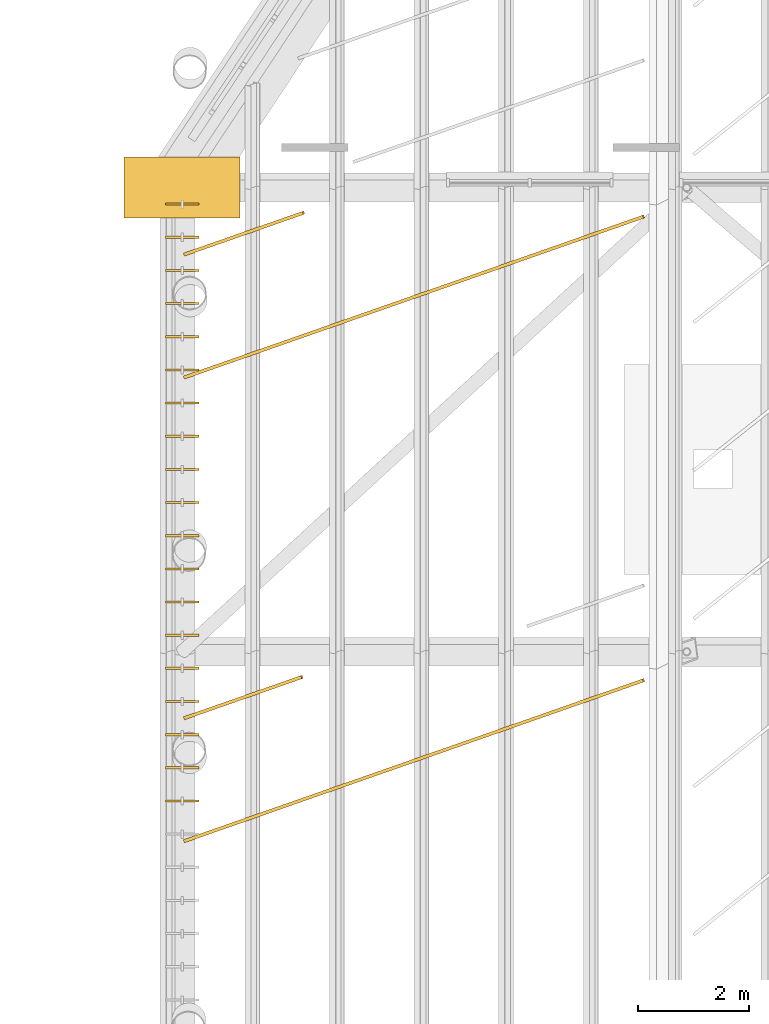
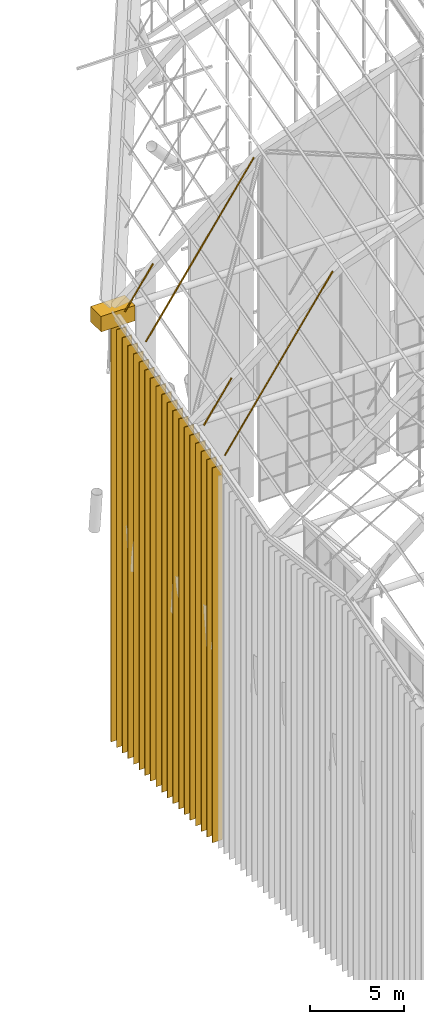
# One storey, part 109 of 126: 19 shading devices, 5 coverings.
"""IFC4 building model written with IfcOpenShell, lengths in metres."""

from ifc_helpers import new_model, si_unit, direction, frame, origin, origin_2d, place, context, subcontext, project, spatial, polyline, rectangle, outline, extrude, material, layer, layer_set, material_profile, profile_set, type_object, element, save


model = new_model("IFC4")

# Units and contexts
model_context = context("Model", 3, precision=1e-05, world=origin(), true_north=direction((0.0, 1.0)))
body_context = subcontext(model_context, "Body", "Model", "MODEL_VIEW")
ifc_project = project(units=[si_unit("LENGTHUNIT", "METRE"), si_unit("AREAUNIT", "SQUARE_METRE"), si_unit("VOLUMEUNIT", "CUBIC_METRE"), si_unit("PLANEANGLEUNIT", "RADIAN"), si_unit("MASSUNIT", "GRAM", prefix="KILO")], contexts=[model_context])

# Site, building, storey
site_placement = place(None, origin())
site = spatial("IfcSite", under=ifc_project, at=site_placement, CompositionType="ELEMENT")
building_placement = place(site_placement, origin())
building = spatial("IfcBuilding", under=site, at=building_placement, Name="Sava Quay Ferry Terminal", CompositionType="ELEMENT")
storey_placement = place(building_placement, frame((0.0, 0.0, 15.0)))
storey = spatial("IfcBuildingStorey", under=building, at=storey_placement, Name="L03", CompositionType="ELEMENT", Elevation=15.0)

# Coverings
ifc_material_1 = material(Name="Zinc standing seam sheet")
ifc_layer_1 = layer(ifc_material_1, 0.02001953125)
ifc_layer_set_1 = layer_set([ifc_layer_1], Name="Zinc standing seam sheet")
covering_type_1 = type_object("IfcCoveringType", Name="Prow corner node cover", PredefinedType="CLADDING", material=ifc_layer_set_1)
covering_1_placement = place(storey_placement, frame((0.0, 0.0, 14.925048828125)))
element("IfcCovering", 1, at=covering_1_placement, inside=storey, type_object=covering_type_1, Name="Departure hall prow corner node cover L", PredefinedType="CLADDING", context=body_context, shape_type="SweptSolid", body=[
    extrude(outline(polyline([(40.949951171875, 100.25), (43.050048828125, 100.25), (43.050048828125, 101.35009765625), (40.949951171875, 101.35009765625), (40.949951171875, 100.25)])), origin(), (0.0, 0.0, 1.0), 1.0),
])
ifc_material_2 = material(Name="Zinc standing seam")
ifc_layer_2 = layer(ifc_material_2, 0.0400390625)
ifc_layer_set_2 = layer_set([ifc_layer_2], Name="Zinc standing seam")
covering_type_2 = type_object("IfcCoveringType", Name="Roof seam rib 60", PredefinedType="ROOFING", material=ifc_layer_set_2)
covering_2_placement = place(storey_placement, frame((42.020751953125, 88.998779296875, 13.38623046875), z_axis=(-0.60189110877, -0.21059688903, 0.770309057142), x_axis=(0.72702333395, 0.254584230794, 0.637670715435)))
element("IfcCovering", 2, at=covering_2_placement, inside=storey, type_object=covering_type_2, Name="Roof seam rib", PredefinedType="ROOFING", context=body_context, shape_type="SweptSolid", body=[
    extrude(outline(polyline([(0.0, 0.0), (11.426199194905346, -6.14742631799281e-16), (11.426156555380409, -0.059993532949400304), (1.95148282835806e-05, -0.059763103019507734), (0.0, 0.0)])), origin(), (0.0, 0.0, -1.0), 0.0400390625),
])
covering_3_placement = place(storey_placement, frame((42.020751953125, 91.223876953125, 13.9951171875), z_axis=(-0.602037155286, -0.210194006802, 0.770304967633), x_axis=(0.727018544127, 0.254585912604, 0.637675504939)))
element("IfcCovering", 3, at=covering_3_placement, inside=storey, type_object=covering_type_2, Name="Roof seam rib", PredefinedType="ROOFING", context=body_context, shape_type="SweptSolid", body=[
    extrude(outline(polyline([(0.0, 0.0), (2.9239039898587773, 1.919037845299343e-17), (2.923861160354421, -0.05999353832201857), (-4.2829504356996576e-05, -0.05999353832201865), (0.0, 0.0)])), origin(), (0.0, 0.0, -1.0), 0.0400390625),
])
covering_4_placement = place(storey_placement, frame((42.020751953125, 97.38916015625, 15.681640625), z_axis=(-0.602034262068, -0.21019299667, 0.770307504472), x_axis=(0.727028642756, 0.254564722559, 0.637672450903)))
element("IfcCovering", 4, at=covering_4_placement, inside=storey, type_object=covering_type_2, Name="Roof seam rib", PredefinedType="ROOFING", context=body_context, shape_type="SweptSolid", body=[
    extrude(outline(polyline([(0.0, 0.0), (11.426137042904575, 1.1796119636642288e-16), (11.426095613321941, -0.059993539305091985), (-4.14295826339766e-05, -0.059993539305092235), (0.0, 0.0)])), origin(), (0.0, 0.0, -1.0), 0.0400390625),
])
covering_5_placement = place(storey_placement, frame((42.020751953125, 99.614013671875, 16.290283203125), z_axis=(-0.601898840235, -0.210599594208, 0.77030227641), x_axis=(0.726997137931, 0.254638536975, 0.637678897979)))
element("IfcCovering", 5, at=covering_5_placement, inside=storey, type_object=covering_type_2, Name="Roof seam rib", PredefinedType="ROOFING", context=body_context, shape_type="SweptSolid", body=[
    extrude(outline(polyline([(0.0, 0.0), (2.962588169589706, 1.8789223649173792e-16), (2.962541936092185, -0.05999353028724467), (1.5934114045127942e-05, -0.05976310408132972), (0.0, 0.0)])), origin(), (0.0, 0.0, -1.0), 0.0400390625),
])

# Shading devices
ifc_material_3 = material(Name="Aluminium bronze anodised", Category="aluminium")
ifc_material_profile = material_profile(ifc_material_3, rectangle(XDim=0.0400390625, YDim=0.60009765625, at=origin_2d()), Name="Vertical brise-soleil blade 40x600")
ifc_profile_set = profile_set([ifc_material_profile], Name="Aluminium bronze anodised")
shading_device_type = type_object("IfcShadingDeviceType", Name="Vertical brise-soleil blade 40x600", PredefinedType="USERDEFINED", material=ifc_profile_set)
shading_device_1_placement = place(storey_placement, frame((42.0, 89.699951171875, -12.10009765625), z_axis=(0.0, 0.0, 1.0), x_axis=(0.0, 1.0, 0.0)))
element("IfcShadingDevice", 6, at=shading_device_1_placement, inside=storey, type_object=shading_device_type, Name="Brise-soleil blade D-W 66", ObjectType="BRISE-SOLEIL BLADE", PredefinedType="USERDEFINED", context=body_context, shape_type="SweptSolid", body=[
    extrude(rectangle(XDim=0.0400390625, YDim=0.60009765625, at=origin_2d()), origin(), (0.0, 0.0, 1.0), 24.33984375),
])
shading_device_2_placement = place(storey_placement, frame((42.0, 90.300048828125, -12.10009765625), z_axis=(0.0, 0.0, 1.0), x_axis=(0.0, 1.0, 0.0)))
element("IfcShadingDevice", 7, at=shading_device_2_placement, inside=storey, type_object=shading_device_type, Name="Brise-soleil blade D-W 67", ObjectType="BRISE-SOLEIL BLADE", PredefinedType="USERDEFINED", context=body_context, shape_type="SweptSolid", body=[
    extrude(rectangle(XDim=0.0400390625, YDim=0.60009765625, at=origin_2d()), origin(), (0.0, 0.0, 1.0), 24.504150390625),
])
shading_device_3_placement = place(storey_placement, frame((42.0, 90.89990234375, -12.10009765625), z_axis=(0.0, 0.0, 1.0), x_axis=(0.0, 1.0, 0.0)))
element("IfcShadingDevice", 8, at=shading_device_3_placement, inside=storey, type_object=shading_device_type, Name="Brise-soleil blade D-W 68", ObjectType="BRISE-SOLEIL BLADE", PredefinedType="USERDEFINED", context=body_context, shape_type="SweptSolid", body=[
    extrude(rectangle(XDim=0.0400390625, YDim=0.60009765625, at=origin_2d()), origin(), (0.0, 0.0, 1.0), 24.668212890625),
])
shading_device_4_placement = place(storey_placement, frame((42.0, 91.5, -12.10009765625), z_axis=(0.0, 0.0, 1.0), x_axis=(0.0, 1.0, 0.0)))
element("IfcShadingDevice", 9, at=shading_device_4_placement, inside=storey, type_object=shading_device_type, Name="Brise-soleil blade D-W 69", ObjectType="BRISE-SOLEIL BLADE", PredefinedType="USERDEFINED", context=body_context, shape_type="SweptSolid", body=[
    extrude(rectangle(XDim=0.0400390625, YDim=0.60009765625, at=origin_2d()), origin(), (0.0, 0.0, 1.0), 24.832275390625),
])
shading_device_5_placement = place(storey_placement, frame((42.0, 92.10009765625, -12.10009765625), z_axis=(0.0, 0.0, 1.0), x_axis=(0.0, 1.0, 0.0)))
element("IfcShadingDevice", 10, at=shading_device_5_placement, inside=storey, type_object=shading_device_type, Name="Brise-soleil blade D-W 70", ObjectType="BRISE-SOLEIL BLADE", PredefinedType="USERDEFINED", context=body_context, shape_type="SweptSolid", body=[
    extrude(rectangle(XDim=0.0400390625, YDim=0.60009765625, at=origin_2d()), origin(), (0.0, 0.0, 1.0), 24.99658203125),
])
shading_device_6_placement = place(storey_placement, frame((42.0, 92.699951171875, -12.10009765625), z_axis=(0.0, 0.0, 1.0), x_axis=(0.0, 1.0, 0.0)))
element("IfcShadingDevice", 11, at=shading_device_6_placement, inside=storey, type_object=shading_device_type, Name="Brise-soleil blade D-W 71", ObjectType="BRISE-SOLEIL BLADE", PredefinedType="USERDEFINED", context=body_context, shape_type="SweptSolid", body=[
    extrude(rectangle(XDim=0.0400390625, YDim=0.60009765625, at=origin_2d()), origin(), (0.0, 0.0, 1.0), 25.16064453125),
])
shading_device_7_placement = place(storey_placement, frame((42.0, 93.300048828125, -12.10009765625), z_axis=(0.0, 0.0, 1.0), x_axis=(0.0, 1.0, 0.0)))
element("IfcShadingDevice", 12, at=shading_device_7_placement, inside=storey, type_object=shading_device_type, Name="Brise-soleil blade D-W 72", ObjectType="BRISE-SOLEIL BLADE", PredefinedType="USERDEFINED", context=body_context, shape_type="SweptSolid", body=[
    extrude(rectangle(XDim=0.0400390625, YDim=0.60009765625, at=origin_2d()), origin(), (0.0, 0.0, 1.0), 25.32470703125),
])
shading_device_8_placement = place(storey_placement, frame((42.0, 93.89990234375, -12.10009765625), z_axis=(0.0, 0.0, 1.0), x_axis=(0.0, 1.0, 0.0)))
element("IfcShadingDevice", 13, at=shading_device_8_placement, inside=storey, type_object=shading_device_type, Name="Brise-soleil blade D-W 73", ObjectType="BRISE-SOLEIL BLADE", PredefinedType="USERDEFINED", context=body_context, shape_type="SweptSolid", body=[
    extrude(rectangle(XDim=0.0400390625, YDim=0.60009765625, at=origin_2d()), origin(), (0.0, 0.0, 1.0), 25.489013671875),
])
shading_device_9_placement = place(storey_placement, frame((42.0, 94.5, -12.10009765625), z_axis=(0.0, 0.0, 1.0), x_axis=(0.0, 1.0, 0.0)))
element("IfcShadingDevice", 14, at=shading_device_9_placement, inside=storey, type_object=shading_device_type, Name="Brise-soleil blade D-W 74", ObjectType="BRISE-SOLEIL BLADE", PredefinedType="USERDEFINED", context=body_context, shape_type="SweptSolid", body=[
    extrude(rectangle(XDim=0.0400390625, YDim=0.60009765625, at=origin_2d()), origin(), (0.0, 0.0, 1.0), 25.653076171875),
])
shading_device_10_placement = place(storey_placement, frame((42.0, 95.10009765625, -12.10009765625), z_axis=(0.0, 0.0, 1.0), x_axis=(0.0, 1.0, 0.0)))
element("IfcShadingDevice", 15, at=shading_device_10_placement, inside=storey, type_object=shading_device_type, Name="Brise-soleil blade D-W 75", ObjectType="BRISE-SOLEIL BLADE", PredefinedType="USERDEFINED", context=body_context, shape_type="SweptSolid", body=[
    extrude(rectangle(XDim=0.0400390625, YDim=0.60009765625, at=origin_2d()), origin(), (0.0, 0.0, 1.0), 25.817138671875),
])
shading_device_11_placement = place(storey_placement, frame((42.0, 95.699951171875, -12.10009765625), z_axis=(0.0, 0.0, 1.0), x_axis=(0.0, 1.0, 0.0)))
element("IfcShadingDevice", 16, at=shading_device_11_placement, inside=storey, type_object=shading_device_type, Name="Brise-soleil blade D-W 76", ObjectType="BRISE-SOLEIL BLADE", PredefinedType="USERDEFINED", context=body_context, shape_type="SweptSolid", body=[
    extrude(rectangle(XDim=0.0400390625, YDim=0.60009765625, at=origin_2d()), origin(), (0.0, 0.0, 1.0), 25.9814453125),
])
shading_device_12_placement = place(storey_placement, frame((42.0, 96.300048828125, -12.10009765625), z_axis=(0.0, 0.0, 1.0), x_axis=(0.0, 1.0, 0.0)))
element("IfcShadingDevice", 17, at=shading_device_12_placement, inside=storey, type_object=shading_device_type, Name="Brise-soleil blade D-W 77", ObjectType="BRISE-SOLEIL BLADE", PredefinedType="USERDEFINED", context=body_context, shape_type="SweptSolid", body=[
    extrude(rectangle(XDim=0.0400390625, YDim=0.60009765625, at=origin_2d()), origin(), (0.0, 0.0, 1.0), 26.1455078125),
])
shading_device_13_placement = place(storey_placement, frame((42.0, 96.89990234375, -12.10009765625), z_axis=(0.0, 0.0, 1.0), x_axis=(0.0, 1.0, 0.0)))
element("IfcShadingDevice", 18, at=shading_device_13_placement, inside=storey, type_object=shading_device_type, Name="Brise-soleil blade D-W 78", ObjectType="BRISE-SOLEIL BLADE", PredefinedType="USERDEFINED", context=body_context, shape_type="SweptSolid", body=[
    extrude(rectangle(XDim=0.0400390625, YDim=0.60009765625, at=origin_2d()), origin(), (0.0, 0.0, 1.0), 26.3095703125),
])
shading_device_14_placement = place(storey_placement, frame((42.0, 97.5, -12.10009765625), z_axis=(0.0, 0.0, 1.0), x_axis=(0.0, 1.0, 0.0)))
element("IfcShadingDevice", 19, at=shading_device_14_placement, inside=storey, type_object=shading_device_type, Name="Brise-soleil blade D-W 79", ObjectType="BRISE-SOLEIL BLADE", PredefinedType="USERDEFINED", context=body_context, shape_type="SweptSolid", body=[
    extrude(rectangle(XDim=0.0400390625, YDim=0.60009765625, at=origin_2d()), origin(), (0.0, 0.0, 1.0), 26.473876953125),
])
shading_device_15_placement = place(storey_placement, frame((42.0, 98.10009765625, -12.10009765625), z_axis=(0.0, 0.0, 1.0), x_axis=(0.0, 1.0, 0.0)))
element("IfcShadingDevice", 20, at=shading_device_15_placement, inside=storey, type_object=shading_device_type, Name="Brise-soleil blade D-W 80", ObjectType="BRISE-SOLEIL BLADE", PredefinedType="USERDEFINED", context=body_context, shape_type="SweptSolid", body=[
    extrude(rectangle(XDim=0.0400390625, YDim=0.60009765625, at=origin_2d()), origin(), (0.0, 0.0, 1.0), 26.637939453125),
])
shading_device_16_placement = place(storey_placement, frame((42.0, 98.699951171875, -12.10009765625), z_axis=(0.0, 0.0, 1.0), x_axis=(0.0, 1.0, 0.0)))
element("IfcShadingDevice", 21, at=shading_device_16_placement, inside=storey, type_object=shading_device_type, Name="Brise-soleil blade D-W 81", ObjectType="BRISE-SOLEIL BLADE", PredefinedType="USERDEFINED", context=body_context, shape_type="SweptSolid", body=[
    extrude(rectangle(XDim=0.0400390625, YDim=0.60009765625, at=origin_2d()), origin(), (0.0, 0.0, 1.0), 26.802001953125),
])
shading_device_17_placement = place(storey_placement, frame((42.0, 99.300048828125, -12.10009765625), z_axis=(0.0, 0.0, 1.0), x_axis=(0.0, 1.0, 0.0)))
element("IfcShadingDevice", 22, at=shading_device_17_placement, inside=storey, type_object=shading_device_type, Name="Brise-soleil blade D-W 82", ObjectType="BRISE-SOLEIL BLADE", PredefinedType="USERDEFINED", context=body_context, shape_type="SweptSolid", body=[
    extrude(rectangle(XDim=0.0400390625, YDim=0.60009765625, at=origin_2d()), origin(), (0.0, 0.0, 1.0), 26.96630859375),
])
shading_device_18_placement = place(storey_placement, frame((42.0, 99.89990234375, -12.10009765625), z_axis=(0.0, 0.0, 1.0), x_axis=(0.0, 1.0, 0.0)))
element("IfcShadingDevice", 23, at=shading_device_18_placement, inside=storey, type_object=shading_device_type, Name="Brise-soleil blade D-W 83", ObjectType="BRISE-SOLEIL BLADE", PredefinedType="USERDEFINED", context=body_context, shape_type="SweptSolid", body=[
    extrude(rectangle(XDim=0.0400390625, YDim=0.60009765625, at=origin_2d()), origin(), (0.0, 0.0, 1.0), 27.13037109375),
])
shading_device_19_placement = place(storey_placement, frame((42.0, 100.5, -12.10009765625), z_axis=(0.0, 0.0, 1.0), x_axis=(0.0, 1.0, 0.0)))
element("IfcShadingDevice", 24, at=shading_device_19_placement, inside=storey, type_object=shading_device_type, Name="Brise-soleil blade D-W 84", ObjectType="BRISE-SOLEIL BLADE", PredefinedType="USERDEFINED", context=body_context, shape_type="SweptSolid", body=[
    extrude(rectangle(XDim=0.0400390625, YDim=0.60009765625, at=origin_2d()), origin(), (0.0, 0.0, 1.0), 27.29443359375),
])

save(model, "model.ifc")
